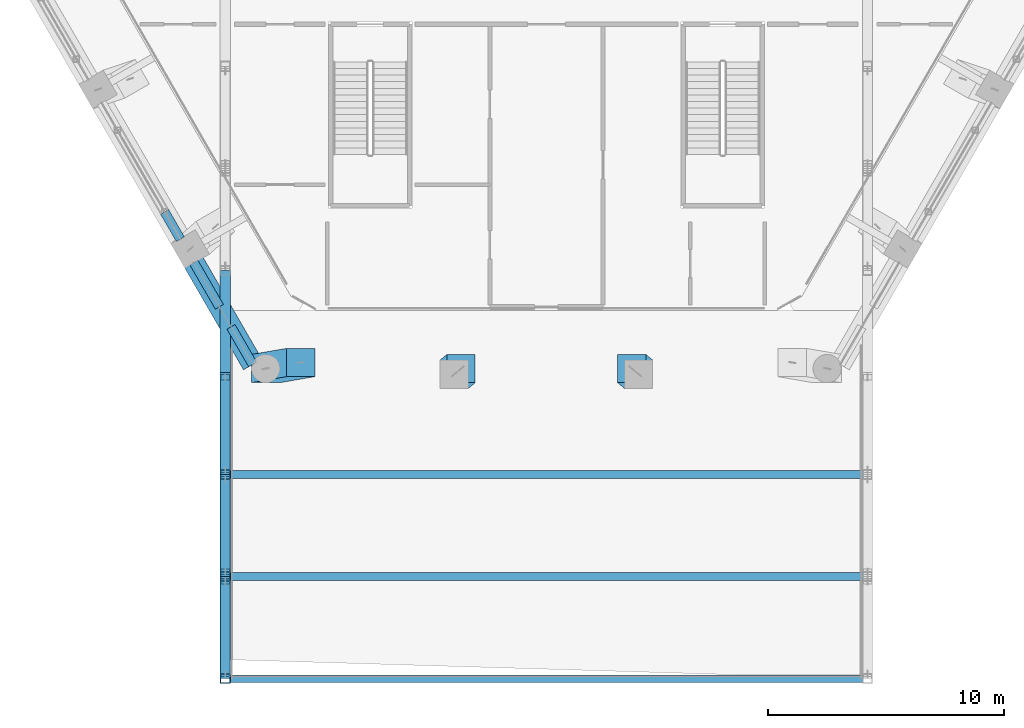
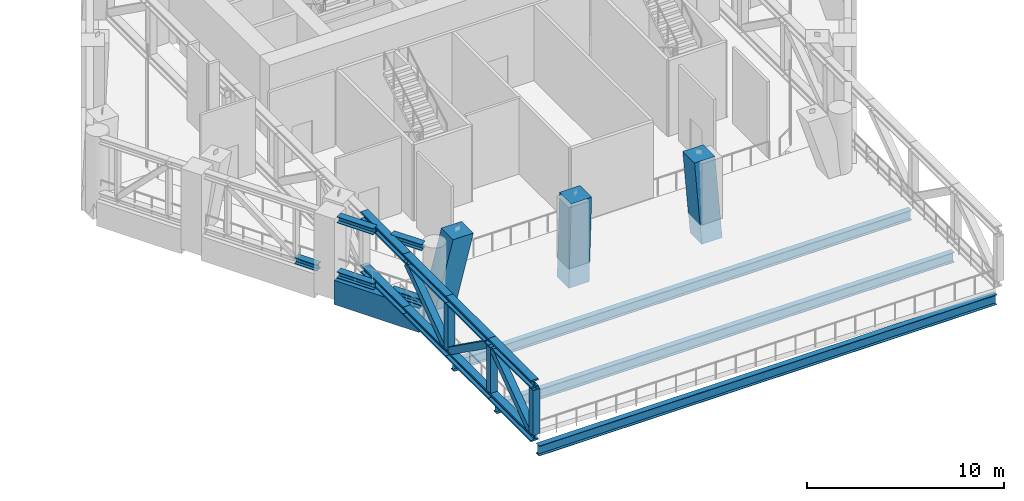
# One storey, part 2 of 22: 22 members, 4 beams.
"""IFC4 building model written with IfcOpenShell, lengths in metres."""

from ifc_helpers import new_model, si_unit, direction, frame, origin, origin_2d, place, context, subcontext, project, spatial, rectangle, hollow_rectangle, i_section, extrude, material, material_profile, profile_set, type_object, element, save


model = new_model("IFC4")

# Units and contexts
model_context = context("Model", 3, precision=1e-05, world=origin(), true_north=direction((0.0, 1.0)))
body_context = subcontext(model_context, "Body", "Model", "MODEL_VIEW")
ifc_project = project(units=[si_unit("LENGTHUNIT", "METRE"), si_unit("AREAUNIT", "SQUARE_METRE"), si_unit("VOLUMEUNIT", "CUBIC_METRE"), si_unit("PLANEANGLEUNIT", "RADIAN"), si_unit("MASSUNIT", "GRAM", prefix="KILO")], contexts=[model_context])

# Site, building, storey
site_placement = place(None, origin())
site = spatial("IfcSite", under=ifc_project, at=site_placement, CompositionType="ELEMENT")
building_placement = place(site_placement, origin())
building = spatial("IfcBuilding", under=site, at=building_placement, Name="Ostrander Bayou Hotel Tower", CompositionType="ELEMENT")
storey_placement = place(building_placement, frame((0.0, 0.0, 146.0)))
storey = spatial("IfcBuildingStorey", under=building, at=storey_placement, Name="L36", CompositionType="ELEMENT", Elevation=146.0)

# Members
ifc_material_1 = material(Name="Steel ASTM A992", Category="steel")
ifc_material_profile_1 = material_profile(ifc_material_1, i_section(OverallWidth=0.3955078125, OverallDepth=0.38037109375, WebThickness=0.01904296875, FlangeThickness=0.0302734375, at=origin_2d()))
ifc_profile_set_1 = profile_set([ifc_material_profile_1], Name="Steel ASTM A992")
member_type_1 = type_object("IfcMemberType", Name="BT3 belt truss chord W14x159", PredefinedType="CHORD", material=ifc_profile_set_1)
member_1_placement = place(storey_placement, frame((-16.189697265625, -11.65869140625, 0.190185546875), z_axis=(0.50003380888, -0.866005883338, 0.0), x_axis=(0.866005883338, 0.50003380888, 0.0)))
element("IfcMember", 1, at=member_1_placement, inside=storey, type_object=member_type_1, Name="BT3 L36 SW-2B2", PredefinedType="CHORD", context=body_context, shape_type="SweptSolid", body=[
    extrude(i_section(OverallWidth=0.3955078125, OverallDepth=0.38037109375, WebThickness=0.01904296875, FlangeThickness=0.0302734375, at=origin_2d()), origin(), (0.0, 0.0, 1.0), 1.3349609375),
])
member_2_placement = place(storey_placement, frame((-14.9521484375, -13.802001953125, 0.190185546875), z_axis=(0.499994843742, -0.866028380731, 0.0), x_axis=(0.866028380731, 0.499994843742, 0.0)))
element("IfcMember", 2, at=member_2_placement, inside=storey, type_object=member_type_1, Name="BT3 L36 SW-3B1", PredefinedType="CHORD", context=body_context, shape_type="SweptSolid", body=[
    extrude(i_section(OverallWidth=0.3955078125, OverallDepth=0.38037109375, WebThickness=0.01904296875, FlangeThickness=0.0302734375, at=origin_2d()), origin(), (0.0, 0.0, 1.0), 2.17236328125),
])
member_3_placement = place(storey_placement, frame((-13.3740234375, -16.53564453125, 0.190185546875), z_axis=(0.499990325971, -0.866030989016, 0.0), x_axis=(0.866030989016, 0.499990325971, 0.0)))
element("IfcMember", 3, at=member_3_placement, inside=storey, type_object=member_type_1, Name="BT3 L36 SW-3B2", PredefinedType="CHORD", context=body_context, shape_type="SweptSolid", body=[
    extrude(i_section(OverallWidth=0.3955078125, OverallDepth=0.38037109375, WebThickness=0.01904296875, FlangeThickness=0.0302734375, at=origin_2d()), origin(), (0.0, 0.0, 1.0), 1.8408203125),
])
member_4_placement = place(storey_placement, frame((-14.9521484375, -13.802001953125, 3.60986328125), z_axis=(0.499994843742, -0.866028380731, 0.0), x_axis=(0.866028380731, 0.499994843742, 0.0)))
element("IfcMember", 4, at=member_4_placement, inside=storey, type_object=member_type_1, Name="BT3 L36 SW-3T1", PredefinedType="CHORD", context=body_context, shape_type="SweptSolid", body=[
    extrude(i_section(OverallWidth=0.3955078125, OverallDepth=0.38037109375, WebThickness=0.01904296875, FlangeThickness=0.0302734375, at=origin_2d()), origin(), (0.0, 0.0, 1.0), 2.17236328125),
])
member_5_placement = place(storey_placement, frame((-13.3740234375, -16.53564453125, 3.60986328125), z_axis=(0.499990325971, -0.866030989016, 0.0), x_axis=(0.866030989016, 0.499990325971, 0.0)))
element("IfcMember", 5, at=member_5_placement, inside=storey, type_object=member_type_1, Name="BT3 L36 SW-3T2", PredefinedType="CHORD", context=body_context, shape_type="SweptSolid", body=[
    extrude(i_section(OverallWidth=0.3955078125, OverallDepth=0.38037109375, WebThickness=0.01904296875, FlangeThickness=0.0302734375, at=origin_2d()), origin(), (0.0, 0.0, 1.0), 1.8408203125),
])
ifc_material_2 = material(Name="Concrete f'c 70 MPa", Category="concrete")
ifc_material_profile_2 = material_profile(ifc_material_2, rectangle(XDim=1.199951171875, YDim=1.199951171875, at=origin_2d()))
ifc_profile_set_2 = profile_set([ifc_material_profile_2], Name="Concrete f'c 70 MPa")
member_type_2 = type_object("IfcMemberType", Name="KC2 kinked column 1200 x 1200 mm f'c 70 MPa", PredefinedType="STRUT", material=ifc_profile_set_2)
member_6_placement = place(storey_placement, frame((-11.90234375, -18.302490234375, -1.199951171875), z_axis=(0.0, 0.0, 1.0), x_axis=(1.0, 0.0, 0.0)))
element("IfcMember", 6, at=member_6_placement, inside=storey, type_object=member_type_2, Name="KC2 L36 K2", PredefinedType="STRUT", context=body_context, shape_type="SweptSolid", body=[
    extrude(rectangle(XDim=1.199951171875, YDim=1.199951171875, at=origin_2d()), origin(), (0.284167250873, 0.049231345043, 0.957509920678), 5.221923828125),
])
member_7_placement = place(storey_placement, frame((-3.90673828125, -18.54345703125, -1.199951171875), z_axis=(0.0, 0.0, 1.0), x_axis=(-1.0, 0.0, 0.0)))
element("IfcMember", 7, at=member_7_placement, inside=storey, type_object=member_type_2, Name="KC2 L36 S1", PredefinedType="STRUT", context=body_context, shape_type="SweptSolid", body=[
    extrude(rectangle(XDim=1.199951171875, YDim=1.199951171875, at=origin_2d()), origin(), (-0.057551030402, -0.048543466422, 0.997161677346), 5.01416015625),
])
member_8_placement = place(storey_placement, frame((3.90673828125, -18.54345703125, -1.199951171875), z_axis=(0.0, 0.0, 1.0), x_axis=(-1.0, 0.0, 0.0)))
element("IfcMember", 8, at=member_8_placement, inside=storey, type_object=member_type_2, Name="KC2 L36 S2", PredefinedType="STRUT", context=body_context, shape_type="SweptSolid", body=[
    extrude(rectangle(XDim=1.199951171875, YDim=1.199951171875, at=origin_2d()), origin(), (0.057551030402, -0.048543466422, 0.997161677346), 5.01416015625),
])

# Beams
ifc_material_3 = material(Name="Concrete f'c 70 MPa", Category="concrete")
ifc_material_profile_3 = material_profile(ifc_material_3, rectangle(XDim=0.89990234375, YDim=1.5, at=origin_2d()))
ifc_profile_set_3 = profile_set([ifc_material_profile_3], Name="Concrete f'c 70 MPa")
beam_type_1 = type_object("IfcBeamType", Name="SPB2 belt spandrel beam 900 x 1500 mm f'c 70 MPa", PredefinedType="SPANDREL", material=ifc_profile_set_3)
beam_placement = place(storey_placement, frame((-14.9521484375, -13.802001953125, -0.75), z_axis=(0.499974782844, -0.866039962427, 0.0), x_axis=(0.866039962427, 0.499974782844, 0.0)))
element("IfcBeam", 9, at=beam_placement, inside=storey, type_object=beam_type_1, Name="SP2 L36 SW-3", PredefinedType="SPANDREL", context=body_context, shape_type="SweptSolid", body=[
    extrude(rectangle(XDim=0.89990234375, YDim=1.5, at=origin_2d()), origin(), (0.0, 0.0, 1.0), 4.997314453125),
])
ifc_material_4 = material(Name="Steel ASTM A992", Category="steel")
ifc_material_profile_4 = material_profile(ifc_material_4, i_section(OverallWidth=0.32763671875, OverallDepth=0.621826171875, WebThickness=0.015380859375, FlangeThickness=0.0244140625, at=origin_2d()))
ifc_profile_set_4 = profile_set([ifc_material_profile_4], Name="Steel ASTM A992")
beam_type_2 = type_object("IfcBeamType", Name="TF1 bar floor beam W24x131", PredefinedType="BEAM", material=ifc_profile_set_4)
for number, where, z_axis, x_axis, name in (
    (10, (-13.442138671875, -22.794677734375, -0.61083984375), (1.0, 0.0, 0.0), (0.0, 1.0, 0.0), "TF1 SB3S L5-1"),
    (11, (-13.442138671875, -27.122314453125, -0.61083984375), (1.0, 0.0, 0.0), (0.0, 1.0, 0.0), "TF1 SB3S L5-2"),
    (12, (-13.442138671875, -31.449951171875, -0.61083984375), (1.0, 0.0, 0.0), (0.0, 1.0, 0.0), "TF1 SB3S L5-3"),
):
    element("IfcBeam", number, at=place(storey_placement, frame(where, z_axis=z_axis, x_axis=x_axis)), inside=storey, type_object=beam_type_2, Name=name, PredefinedType="BEAM", context=body_context, shape_type="SweptSolid", body=[
        extrude(i_section(OverallWidth=0.32763671875, OverallDepth=0.621826171875, WebThickness=0.015380859375, FlangeThickness=0.0244140625, at=origin_2d()), origin(), (0.0, 0.0, 1.0), 26.88427734375),
    ])

# Members
ifc_material_5 = material(Name="Steel ASTM A992", Category="steel")
ifc_material_profile_5 = material_profile(ifc_material_5, i_section(OverallWidth=0.43212890625, OverallDepth=0.497802734375, WebThickness=0.0556640625, FlangeThickness=0.0888671875, at=origin_2d()))
ifc_profile_set_5 = profile_set([ifc_material_profile_5], Name="Steel ASTM A992")
member_type_3 = type_object("IfcMemberType", Name="TT1 through-truss chord W14x500", PredefinedType="CHORD", material=ifc_profile_set_5)
for number, where, z_axis, x_axis, name in (
    (13, (-13.6201171875, -14.139404296875, 0.248779296875), (0.0, -1.0, 0.0), (1.0, 0.0, 0.0), "TT1 SB3A B11"),
    (14, (-13.6201171875, -14.139404296875, 3.551025390625), (0.0, -1.0, 0.0), (1.0, 0.0, 0.0), "TT1 SB3A T11"),
    (15, (-13.6201171875, -18.467041015625, 0.248779296875), (0.0, -1.0, 0.0), (1.0, 0.0, 0.0), "TT1 SB3A B12"),
    (16, (-13.6201171875, -18.467041015625, 3.551025390625), (0.0, -1.0, 0.0), (1.0, 0.0, 0.0), "TT1 SB3A T12"),
    (17, (-13.6201171875, -22.794677734375, 0.248779296875), (0.0, -1.0, 0.0), (1.0, 0.0, 0.0), "TT1 SB3A B13"),
    (18, (-13.6201171875, -22.794677734375, 3.551025390625), (0.0, -1.0, 0.0), (1.0, 0.0, 0.0), "TT1 SB3A T13"),
    (19, (-13.6201171875, -27.122314453125, 0.248779296875), (0.0, -1.0, 0.0), (1.0, 0.0, 0.0), "TT1 SB3A B14"),
    (20, (-13.6201171875, -27.122314453125, 3.551025390625), (0.0, -1.0, 0.0), (1.0, 0.0, 0.0), "TT1 SB3A T14"),
):
    element("IfcMember", number, at=place(storey_placement, frame(where, z_axis=z_axis, x_axis=x_axis)), inside=storey, type_object=member_type_3, Name=name, PredefinedType="CHORD", context=body_context, shape_type="SweptSolid", body=[
        extrude(i_section(OverallWidth=0.43212890625, OverallDepth=0.497802734375, WebThickness=0.0556640625, FlangeThickness=0.0888671875, at=origin_2d()), origin(), (0.0, 0.0, 1.0), 4.32763671875),
    ])
ifc_material_6 = material(Name="Steel ASTM A572 Gr 50", Category="steel")
ifc_material_profile_6 = material_profile(ifc_material_6, hollow_rectangle(XDim=0.406494140625, YDim=0.406494140625, WallThickness=0.017822265625, at=origin_2d()))
ifc_profile_set_6 = profile_set([ifc_material_profile_6], Name="Steel ASTM A572 Gr 50")
member_type_4 = type_object("IfcMemberType", Name="TT3 through-truss diagonal box 16 x 16 x 3/4", PredefinedType="BRACE", material=ifc_profile_set_6)
member_9_placement = place(storey_placement, frame((-13.6201171875, -22.591552734375, 0.497802734375), z_axis=(0.0, 0.813377448858, 0.581736302536), x_axis=(-1.0, 0.0, 0.0)))
element("IfcMember", 21, at=member_9_placement, inside=storey, type_object=member_type_4, Name="TT3 SB3A D12", PredefinedType="BRACE", context=body_context, shape_type="SweptSolid", body=[
    extrude(hollow_rectangle(XDim=0.406494140625, YDim=0.406494140625, WallThickness=0.017822265625, at=origin_2d()), origin(), (0.0, 0.0, 1.0), 4.82080078125),
])
member_10_placement = place(storey_placement, frame((-13.6201171875, -22.997802734375, 0.497802734375), z_axis=(0.0, -0.813394586263, 0.581712340456), x_axis=(1.0, 0.0, 0.0)))
element("IfcMember", 22, at=member_10_placement, inside=storey, type_object=member_type_4, Name="TT3 SB3A D13", PredefinedType="BRACE", context=body_context, shape_type="SweptSolid", body=[
    extrude(hollow_rectangle(XDim=0.406494140625, YDim=0.406494140625, WallThickness=0.017822265625, at=origin_2d()), origin(), (0.0, 0.0, 1.0), 4.821044921875),
])
member_11_placement = place(storey_placement, frame((-13.6201171875, -31.246826171875, 0.497802734375), z_axis=(0.0, 0.813377448858, 0.581736302536), x_axis=(-1.0, 0.0, 0.0)))
element("IfcMember", 23, at=member_11_placement, inside=storey, type_object=member_type_4, Name="TT3 SB3A D14", PredefinedType="BRACE", context=body_context, shape_type="SweptSolid", body=[
    extrude(hollow_rectangle(XDim=0.406494140625, YDim=0.406494140625, WallThickness=0.017822265625, at=origin_2d()), origin(), (0.0, 0.0, 1.0), 4.82080078125),
])
ifc_material_7 = material(Name="Steel ASTM A572 Gr 50", Category="steel")
ifc_material_profile_7 = material_profile(ifc_material_7, hollow_rectangle(XDim=0.406494140625, YDim=0.406494140625, WallThickness=0.017822265625, at=origin_2d()))
ifc_profile_set_7 = profile_set([ifc_material_profile_7], Name="Steel ASTM A572 Gr 50")
member_type_5 = type_object("IfcMemberType", Name="TT4 through-truss post box 16 x 16 x 3/4", PredefinedType="POST", material=ifc_profile_set_7)
for number, where, z_axis, x_axis, name in (
    (24, (-13.6201171875, -22.794677734375, 0.497802734375), (0.0, 0.0, 1.0), (1.0, 0.0, 0.0), "TT4 SB3A P13"),
    (25, (-13.6201171875, -27.122314453125, 0.497802734375), (0.0, 0.0, 1.0), (1.0, 0.0, 0.0), "TT4 SB3A P14"),
    (26, (-13.6201171875, -31.449951171875, 0.497802734375), (0.0, 0.0, 1.0), (1.0, 0.0, 0.0), "TT4 SB3A P15"),
):
    element("IfcMember", number, at=place(storey_placement, frame(where, z_axis=z_axis, x_axis=x_axis)), inside=storey, type_object=member_type_5, Name=name, PredefinedType="POST", context=body_context, shape_type="SweptSolid", body=[
        extrude(hollow_rectangle(XDim=0.406494140625, YDim=0.406494140625, WallThickness=0.017822265625, at=origin_2d()), origin(), (0.0, 0.0, 1.0), 2.804443359375),
    ])

save(model, "model.ifc")
